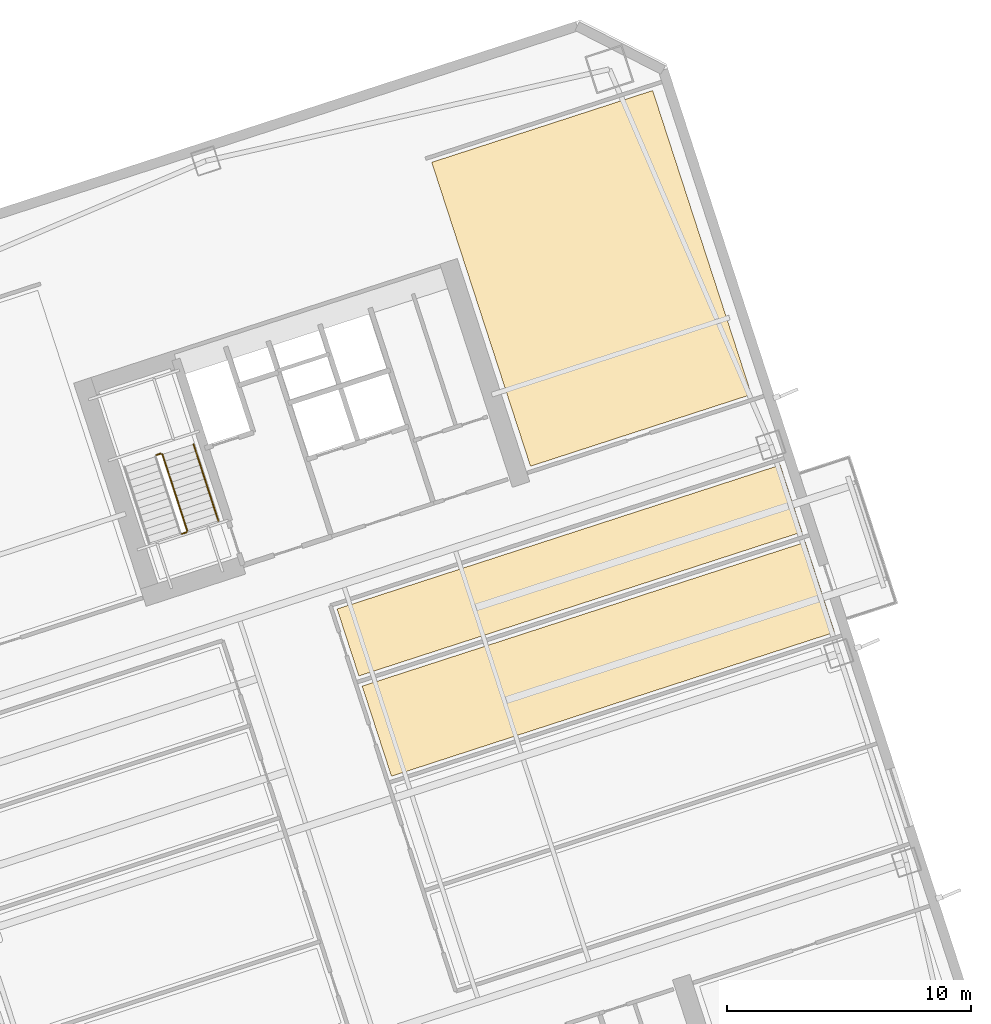
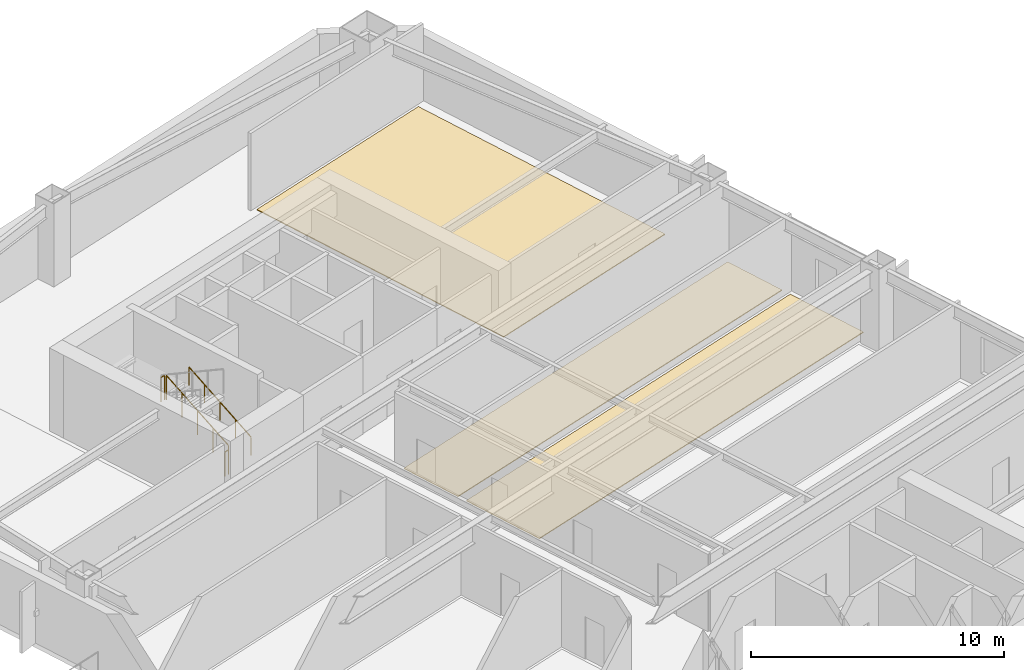
# One storey, part 20 of 21: 4 railings, 3 coverings.
"""IFC4 building model written with IfcOpenShell, lengths in metres."""

from ifc_helpers import new_model, si_unit, direction, frame, origin, origin_2d, place, context, subcontext, project, spatial, polyline, circle, outline, extrude, material, layer, layer_set, type_object, element, save


model = new_model("IFC4")

# Units and contexts
model_context = context("Model", 3, precision=1e-05, world=origin(), true_north=direction((0.0, 1.0)))
body_context = subcontext(model_context, "Body", "Model", "MODEL_VIEW")
ifc_project = project(units=[si_unit("LENGTHUNIT", "METRE"), si_unit("AREAUNIT", "SQUARE_METRE"), si_unit("VOLUMEUNIT", "CUBIC_METRE"), si_unit("PLANEANGLEUNIT", "RADIAN"), si_unit("MASSUNIT", "GRAM", prefix="KILO")], contexts=[model_context])

# Site, building, storey
site_placement = place(None, origin())
site = spatial("IfcSite", under=ifc_project, at=site_placement, CompositionType="ELEMENT")
building_placement = place(site_placement, origin())
building = spatial("IfcBuilding", under=site, at=building_placement, Name="Qiaolan Cultural Towers", CompositionType="ELEMENT")
storey_placement = place(building_placement, frame((0.0, 0.0, 34.0)))
storey = spatial("IfcBuildingStorey", under=building, at=storey_placement, Name="L07", CompositionType="ELEMENT", Elevation=34.0)

# Coverings
ifc_material_1 = material(Name="Honed Terrazzo & Raised Access Flooring", Category="concrete")
ifc_layer = layer(ifc_material_1, 0.0400390625)
ifc_layer_set = layer_set([ifc_layer], Name="Honed Terrazzo & Raised Access Flooring")
covering_type = type_object("IfcCoveringType", Name="COV-FLR-STONE", PredefinedType="FLOORING", material=ifc_layer_set)
covering_1_placement = place(storey_placement, origin())
element("IfcCovering", 1, at=covering_1_placement, inside=storey, type_object=covering_type, Name="L07 Corner Gallery Exhibition Room Finish Flooring", PredefinedType="FLOORING", context=body_context, shape_type="SweptSolid", body=[
    extrude(outline(polyline([(103.965576171875, 50.335205078125), (99.91455078125, 62.803466796875), (90.850830078125, 59.858642578125), (94.902099609375, 47.39013671875), (103.965576171875, 50.335205078125)])), origin(), (0.0, 0.0, 1.0), 0.0400390625),
])
covering_2_placement = place(storey_placement, origin())
element("IfcCovering", 2, at=covering_2_placement, inside=storey, type_object=covering_type, Name="L07 Tea Pantry Finish Flooring", PredefinedType="FLOORING", context=body_context, shape_type="SweptSolid", body=[
    extrude(outline(polyline([(107.3779296875, 40.57763671875), (106.177001953125, 44.273681640625), (87.99755859375, 38.366943359375), (89.198486328125, 34.670654296875), (107.3779296875, 40.57763671875)])), origin(), (0.0, 0.0, 1.0), 0.0400390625),
])
covering_3_placement = place(storey_placement, origin())
element("IfcCovering", 3, at=covering_3_placement, inside=storey, type_object=covering_type, Name="L07 Design Office Finish Flooring", PredefinedType="FLOORING", context=body_context, shape_type="SweptSolid", body=[
    extrude(outline(polyline([(106.041015625, 44.6923828125), (105.148681640625, 47.43896484375), (86.96923828125, 41.531982421875), (87.861572265625, 38.785400390625), (106.041015625, 44.6923828125)])), origin(), (0.0, 0.0, 1.0), 0.0400390625),
])

# Railings
ifc_material_2 = material(Name="Galvanized Painted Steel Stair Guardrail", Category="steel")
railing_type_1 = type_object("IfcRailingType", Name="RL-STAIR-GRD", PredefinedType="GUARDRAIL", material=ifc_material_2)
railing_1_placement = place(storey_placement, frame((80.822021484375, 44.739501953125, 0.166748046875)))
element("IfcRailing", 4, at=railing_1_placement, inside=storey, type_object=railing_type_1, Name="L07 ST-E2 stair guard 1", PredefinedType="GUARDRAIL", context=body_context, shape_type="SweptSolid", body=[
    extrude(circle(Radius=0.02392578125, at=origin_2d()), frame((0.0, 0.0, 1.17578125), z_axis=(-0.270140520196, 0.831375721119, 0.485632072336), x_axis=(-0.951053095941, -0.309027520945, 0.0)), (0.0, 0.0, 1.0), 3.77490234375),
    extrude(circle(Radius=0.02099609375, at=origin_2d()), origin(), (0.0, 0.0, 1.0), 1.15185546875),
    extrude(circle(Radius=0.02099609375, at=origin_2d()), frame((-0.2548828125, 0.78466796875, 0.458251953125)), (0.0, 0.0, 1.0), 1.15185546875),
    extrude(circle(Radius=0.02099609375, at=origin_2d()), frame((-0.509765625, 1.5693359375, 0.91650390625)), (0.0, 0.0, 1.0), 1.15185546875),
    extrude(circle(Radius=0.02099609375, at=origin_2d()), frame((-0.764892578125, 2.353759765625, 1.375)), (0.0, 0.0, 1.0), 1.15185546875),
    extrude(circle(Radius=0.02099609375, at=origin_2d()), frame((-1.019775390625, 3.138427734375, 1.833251953125)), (0.0, 0.0, 1.0), 1.15185546875),
])
for number, where, name in (
    (5, (79.7392578125, 47.91015625, 2.0), "L07 ST-E2 stair guard 2"),
    (6, (80.7900390625, 44.676513671875, 0.0), "L07 ST-E2 stair guard 4"),
):
    element("IfcRailing", number, at=place(storey_placement, frame(where)), inside=storey, type_object=railing_type_1, Name=name, PredefinedType="GUARDRAIL", context=body_context, shape_type="SweptSolid", body=[
        extrude(circle(Radius=0.02392578125, at=origin_2d()), frame((0.0, 0.0, 1.17578125), z_axis=(-0.951096855055, -0.308892816854, 0.0), x_axis=(0.308892816854, -0.951096855055, 0.0)), (0.0, 0.0, 1.0), 0.199951171875),
        extrude(circle(Radius=0.02099609375, at=origin_2d()), origin(), (0.0, 0.0, 1.0), 1.15185546875),
        extrude(circle(Radius=0.02099609375, at=origin_2d()), frame((-0.190185546875, -0.061767578125, 0.0)), (0.0, 0.0, 1.0), 1.15185546875),
    ])
ifc_material_3 = material(Name="Stainless Steel S30408 Tubular Handrail", Category="steel")
railing_type_2 = type_object("IfcRailingType", Name="RL-STAIR-HR", PredefinedType="HANDRAIL", material=ifc_material_3)
railing_2_placement = place(storey_placement, frame((82.096435546875, 45.153564453125, 0.166748046875)))
element("IfcRailing", 7, at=railing_2_placement, inside=storey, type_object=railing_type_2, Name="L07 ST-E2 stair handrail 1", PredefinedType="HANDRAIL", context=body_context, shape_type="SweptSolid", body=[
    extrude(circle(Radius=0.02392578125, at=origin_2d()), frame((0.0, 0.0, 0.8759765625), z_axis=(-0.270140520196, 0.831375721119, 0.485632072336), x_axis=(-0.951053095941, -0.309027520945, 0.0)), (0.0, 0.0, 1.0), 3.77490234375),
    extrude(circle(Radius=0.02099609375, at=origin_2d()), origin(), (0.0, 0.0, 1.0), 0.851806640625),
    extrude(circle(Radius=0.02099609375, at=origin_2d()), frame((-0.2548828125, 0.78466796875, 0.458251953125)), (0.0, 0.0, 1.0), 0.851806640625),
    extrude(circle(Radius=0.02099609375, at=origin_2d()), frame((-0.509765625, 1.5693359375, 0.91650390625)), (0.0, 0.0, 1.0), 0.851806640625),
    extrude(circle(Radius=0.02099609375, at=origin_2d()), frame((-0.764892578125, 2.353759765625, 1.375)), (0.0, 0.0, 1.0), 0.851806640625),
    extrude(circle(Radius=0.02099609375, at=origin_2d()), frame((-1.019775390625, 3.138427734375, 1.833251953125)), (0.0, 0.0, 1.0), 0.851806640625),
])

save(model, "model.ifc")
